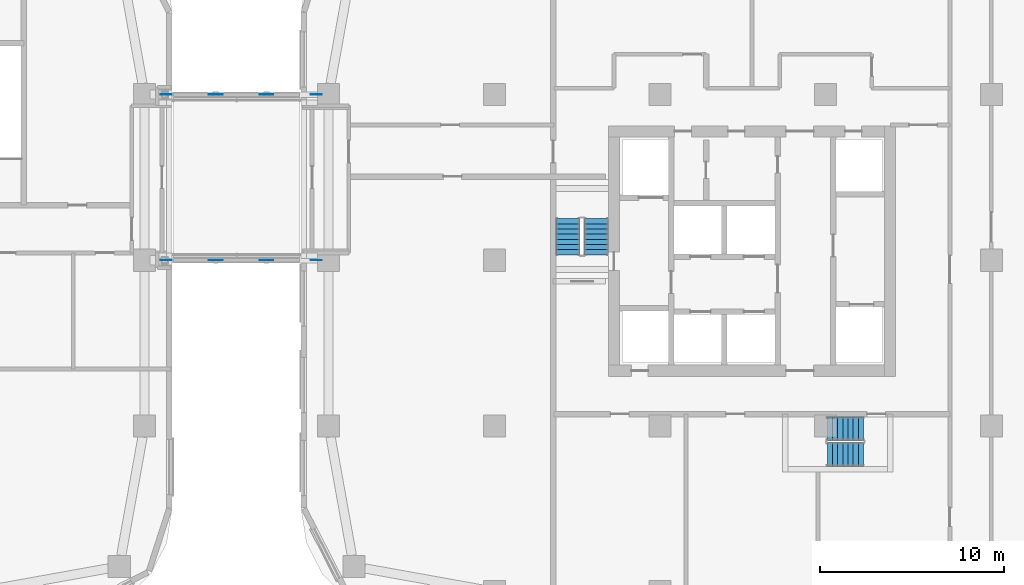
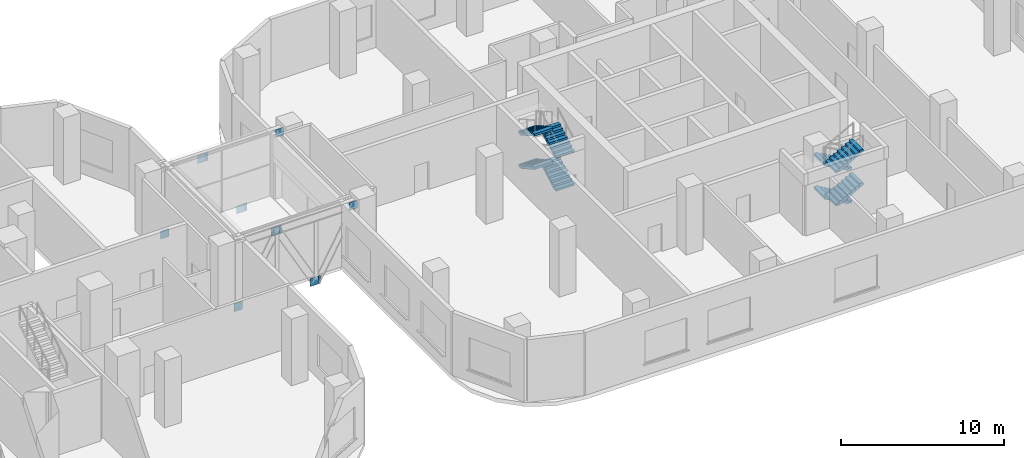
# One storey, part 20 of 33: 12 discrete accessories, 8 stair flights, 2 elements without a shape of their own.
"""IFC4 building model written with IfcOpenShell, lengths in metres."""

from ifc_helpers import new_model, si_unit, direction, frame, origin, origin_2d, place, context, subcontext, project, spatial, rectangle, extrude, triangles, source, transform, mapped, material, layer, layer_set, type_object, element, aggregate, save


model = new_model("IFC4")

# Units and contexts
model_context = context("Model", 3, precision=1e-05, world=origin(), true_north=direction((0.0, 1.0)))
body_context = subcontext(model_context, "Body", "Model", "MODEL_VIEW")
ifc_project = project(units=[si_unit("LENGTHUNIT", "METRE"), si_unit("AREAUNIT", "SQUARE_METRE"), si_unit("VOLUMEUNIT", "CUBIC_METRE"), si_unit("PLANEANGLEUNIT", "RADIAN"), si_unit("MASSUNIT", "GRAM", prefix="KILO")], contexts=[model_context])

# Site, building, storey
site_placement = place(None, origin())
site = spatial("IfcSite", under=ifc_project, at=site_placement, CompositionType="ELEMENT")
building_placement = place(site_placement, origin())
building = spatial("IfcBuilding", under=site, at=building_placement, Name="Ogive Portal Towers", CompositionType="ELEMENT")
storey_placement = place(building_placement, frame((0.0, 0.0, 28.5)))
storey = spatial("IfcBuildingStorey", under=building, at=storey_placement, Name="L05", CompositionType="ELEMENT", Elevation=28.5)

# Stair, stair flights
ifc_material_1 = material(Name="Concrete C40/50", Category="concrete")
stair_type = type_object("IfcStairType", Name="INT-STAIR", PredefinedType="HALF_TURN_STAIR", material=ifc_material_1)
stair_1_placement = place(storey_placement, origin())
stair_1 = element("IfcStair", 1, at=stair_1_placement, inside=storey, type_object=stair_type, Name="L05 Exit Stair ST-B1", PredefinedType="HALF_TURN_STAIR")
stair_flight_type = type_object("IfcStairFlightType", Name="INT-FLIGHT", PredefinedType="STRAIGHT", material=ifc_material_1)
shared_shape = source(origin(), body_context, "Body", "Tessellation", [
    triangles([(0.0, -0.650146484375, 0.0), (0.0, -0.376220703125, 0.0), (0.0, -0.192626953125, 0.0), (0.0, -0.081298828125, 0.0), (0.0, -0.024169921875, 0.0), (0.0, -0.003173828125, 0.0), (0.0, 0.0, 0.0), (0.0, 0.0029296875, 0.0), (0.0, 0.02392578125, 0.0), (0.0, 0.0810546875, 0.0), (0.0, 0.1923828125, 0.0), (0.0, 0.3759765625, 0.0), (0.0, 0.64990234375, 0.0), (0.0, -0.650146484375, 0.15625), (0.0, -0.376220703125, 0.15625), (0.0, -0.192626953125, 0.15625), (0.0, -0.081298828125, 0.15625), (0.0, -0.024169921875, 0.15625), (0.0, -0.003173828125, 0.15625), (0.0, 0.0, 0.15625), (0.0, 0.0029296875, 0.15625), (0.0, 0.02392578125, 0.15625), (0.0, 0.0810546875, 0.15625), (0.0, 0.1923828125, 0.15625), (0.0, 0.3759765625, 0.15625), (0.0, 0.64990234375, 0.15625), (0.280029296875, -0.650146484375, 0.15625), (0.280029296875, -0.376220703125, 0.15625), (0.280029296875, -0.192626953125, 0.15625), (0.280029296875, -0.081298828125, 0.15625), (0.280029296875, -0.024169921875, 0.15625), (0.280029296875, -0.003173828125, 0.15625), (0.280029296875, 0.0, 0.15625), (0.280029296875, 0.0029296875, 0.15625), (0.280029296875, 0.02392578125, 0.15625), (0.280029296875, 0.0810546875, 0.15625), (0.280029296875, 0.1923828125, 0.15625), (0.280029296875, 0.3759765625, 0.15625), (0.280029296875, 0.64990234375, 0.15625), (0.280029296875, -0.650146484375, 0.3125), (0.280029296875, -0.376220703125, 0.3125), (0.280029296875, -0.192626953125, 0.3125), (0.280029296875, -0.081298828125, 0.3125), (0.280029296875, -0.024169921875, 0.3125), (0.280029296875, -0.003173828125, 0.3125), (0.280029296875, 0.0, 0.3125), (0.280029296875, 0.0029296875, 0.3125), (0.280029296875, 0.02392578125, 0.3125), (0.280029296875, 0.0810546875, 0.3125), (0.280029296875, 0.1923828125, 0.3125), (0.280029296875, 0.3759765625, 0.3125), (0.280029296875, 0.64990234375, 0.3125), (0.56005859375, -0.650146484375, 0.3125), (0.56005859375, -0.376220703125, 0.3125), (0.56005859375, -0.192626953125, 0.3125), (0.56005859375, -0.081298828125, 0.3125), (0.56005859375, -0.024169921875, 0.3125), (0.56005859375, -0.003173828125, 0.3125), (0.56005859375, 0.0, 0.3125), (0.56005859375, 0.0029296875, 0.3125), (0.56005859375, 0.02392578125, 0.3125), (0.56005859375, 0.0810546875, 0.3125), (0.56005859375, 0.1923828125, 0.3125), (0.56005859375, 0.3759765625, 0.3125), (0.56005859375, 0.64990234375, 0.3125), (0.56005859375, -0.650146484375, 0.46875), (0.56005859375, -0.376220703125, 0.46875), (0.56005859375, -0.192626953125, 0.46875), (0.56005859375, -0.081298828125, 0.46875), (0.56005859375, -0.024169921875, 0.46875), (0.56005859375, -0.003173828125, 0.46875), (0.56005859375, 0.0, 0.46875), (0.56005859375, 0.0029296875, 0.46875), (0.56005859375, 0.02392578125, 0.46875), (0.56005859375, 0.0810546875, 0.46875), (0.56005859375, 0.1923828125, 0.46875), (0.56005859375, 0.3759765625, 0.46875), (0.56005859375, 0.64990234375, 0.46875), (0.840087890625, -0.650146484375, 0.46875), (0.840087890625, -0.376220703125, 0.46875), (0.840087890625, -0.192626953125, 0.46875), (0.840087890625, -0.081298828125, 0.46875), (0.840087890625, -0.024169921875, 0.46875), (0.840087890625, -0.003173828125, 0.46875), (0.840087890625, 0.0, 0.46875), (0.840087890625, 0.0029296875, 0.46875), (0.840087890625, 0.02392578125, 0.46875), (0.840087890625, 0.0810546875, 0.46875), (0.840087890625, 0.1923828125, 0.46875), (0.840087890625, 0.3759765625, 0.46875), (0.840087890625, 0.64990234375, 0.46875), (0.840087890625, -0.650146484375, 0.625), (0.840087890625, -0.376220703125, 0.625), (0.840087890625, -0.192626953125, 0.625), (0.840087890625, -0.081298828125, 0.625), (0.840087890625, -0.024169921875, 0.625), (0.840087890625, -0.003173828125, 0.625), (0.840087890625, 0.0, 0.625), (0.840087890625, 0.0029296875, 0.625), (0.840087890625, 0.02392578125, 0.625), (0.840087890625, 0.0810546875, 0.625), (0.840087890625, 0.1923828125, 0.625), (0.840087890625, 0.3759765625, 0.625), (0.840087890625, 0.64990234375, 0.625), (1.1201171875, -0.650146484375, 0.625), (1.1201171875, -0.376220703125, 0.625), (1.1201171875, -0.192626953125, 0.625), (1.1201171875, -0.081298828125, 0.625), (1.1201171875, -0.024169921875, 0.625), (1.1201171875, -0.003173828125, 0.625), (1.1201171875, 0.0, 0.625), (1.1201171875, 0.0029296875, 0.625), (1.1201171875, 0.02392578125, 0.625), (1.1201171875, 0.0810546875, 0.625), (1.1201171875, 0.1923828125, 0.625), (1.1201171875, 0.3759765625, 0.625), (1.1201171875, 0.64990234375, 0.625), (1.1201171875, -0.650146484375, 0.78125), (1.1201171875, -0.376220703125, 0.78125), (1.1201171875, -0.192626953125, 0.78125), (1.1201171875, -0.081298828125, 0.78125), (1.1201171875, -0.024169921875, 0.78125), (1.1201171875, -0.003173828125, 0.78125), (1.1201171875, 0.0, 0.78125), (1.1201171875, 0.0029296875, 0.78125), (1.1201171875, 0.02392578125, 0.78125), (1.1201171875, 0.0810546875, 0.78125), (1.1201171875, 0.1923828125, 0.78125), (1.1201171875, 0.3759765625, 0.78125), (1.1201171875, 0.64990234375, 0.78125), (1.39990234375, -0.650146484375, 0.78125), (1.39990234375, -0.376220703125, 0.78125), (1.39990234375, -0.192626953125, 0.78125), (1.39990234375, -0.081298828125, 0.78125), (1.39990234375, -0.024169921875, 0.78125), (1.39990234375, -0.003173828125, 0.78125), (1.39990234375, 0.0, 0.78125), (1.39990234375, 0.0029296875, 0.78125), (1.39990234375, 0.02392578125, 0.78125), (1.39990234375, 0.0810546875, 0.78125), (1.39990234375, 0.1923828125, 0.78125), (1.39990234375, 0.3759765625, 0.78125), (1.39990234375, 0.64990234375, 0.78125), (1.39990234375, -0.650146484375, 0.9375), (1.39990234375, -0.376220703125, 0.9375), (1.39990234375, -0.192626953125, 0.9375), (1.39990234375, -0.081298828125, 0.9375), (1.39990234375, -0.024169921875, 0.9375), (1.39990234375, -0.003173828125, 0.9375), (1.39990234375, 0.0, 0.9375), (1.39990234375, 0.0029296875, 0.9375), (1.39990234375, 0.02392578125, 0.9375), (1.39990234375, 0.0810546875, 0.9375), (1.39990234375, 0.1923828125, 0.9375), (1.39990234375, 0.3759765625, 0.9375), (1.39990234375, 0.64990234375, 0.9375), (1.679931640625, -0.650146484375, 0.9375), (1.679931640625, -0.376220703125, 0.9375), (1.679931640625, -0.192626953125, 0.9375), (1.679931640625, -0.081298828125, 0.9375), (1.679931640625, -0.024169921875, 0.9375), (1.679931640625, -0.003173828125, 0.9375), (1.679931640625, 0.0, 0.9375), (1.679931640625, 0.0029296875, 0.9375), (1.679931640625, 0.02392578125, 0.9375), (1.679931640625, 0.0810546875, 0.9375), (1.679931640625, 0.1923828125, 0.9375), (1.679931640625, 0.3759765625, 0.9375), (1.679931640625, 0.64990234375, 0.9375), (1.679931640625, -0.650146484375, 1.09375), (1.679931640625, -0.376220703125, 1.09375), (1.679931640625, -0.192626953125, 1.09375), (1.679931640625, -0.081298828125, 1.09375), (1.679931640625, -0.024169921875, 1.09375), (1.679931640625, -0.003173828125, 1.09375), (1.679931640625, 0.0, 1.09375), (1.679931640625, 0.0029296875, 1.09375), (1.679931640625, 0.02392578125, 1.09375), (1.679931640625, 0.0810546875, 1.09375), (1.679931640625, 0.1923828125, 1.09375), (1.679931640625, 0.3759765625, 1.09375), (1.679931640625, 0.64990234375, 1.09375), (1.9599609375, -0.650146484375, 1.09375), (1.9599609375, -0.376220703125, 1.09375), (1.9599609375, -0.192626953125, 1.09375), (1.9599609375, -0.081298828125, 1.09375), (1.9599609375, -0.024169921875, 1.09375), (1.9599609375, -0.003173828125, 1.09375), (1.9599609375, 0.0, 1.09375), (1.9599609375, 0.0029296875, 1.09375), (1.9599609375, 0.02392578125, 1.09375), (1.9599609375, 0.0810546875, 1.09375), (1.9599609375, 0.1923828125, 1.09375), (1.9599609375, 0.3759765625, 1.09375), (1.9599609375, 0.64990234375, 1.09375), (1.9599609375, -0.650146484375, 0.922119140625), (1.9599609375, -0.376220703125, 0.922119140625), (1.9599609375, -0.192626953125, 0.922119140625), (1.9599609375, -0.081298828125, 0.922119140625), (1.9599609375, -0.024169921875, 0.922119140625), (1.9599609375, -0.003173828125, 0.922119140625), (1.9599609375, 0.0, 0.922119140625), (1.9599609375, 0.0029296875, 0.922119140625), (1.9599609375, 0.02392578125, 0.922119140625), (1.9599609375, 0.0810546875, 0.922119140625), (1.9599609375, 0.1923828125, 0.922119140625), (1.9599609375, 0.3759765625, 0.922119140625), (1.9599609375, 0.64990234375, 0.922119140625), (0.3076171875, -0.650146484375, 0.0), (0.3076171875, -0.376220703125, 0.0), (0.3076171875, -0.192626953125, 0.0), (0.3076171875, -0.081298828125, 0.0), (0.3076171875, -0.024169921875, 0.0), (0.3076171875, -0.003173828125, 0.0), (0.3076171875, 0.0, 0.0), (0.3076171875, 0.0029296875, 0.0), (0.3076171875, 0.02392578125, 0.0), (0.3076171875, 0.0810546875, 0.0), (0.3076171875, 0.1923828125, 0.0), (0.3076171875, 0.3759765625, 0.0), (0.3076171875, 0.64990234375, 0.0)], [[1, 14, 15], [1, 15, 2], [2, 15, 16], [2, 16, 3], [3, 16, 17], [3, 17, 4], [4, 17, 18], [4, 18, 5], [5, 18, 19], [5, 19, 6], [6, 19, 20], [6, 20, 7], [7, 20, 21], [7, 21, 8], [8, 21, 22], [8, 22, 9], [9, 22, 23], [9, 23, 10], [10, 23, 24], [10, 24, 11], [11, 24, 25], [11, 25, 12], [12, 25, 26], [12, 26, 13], [14, 27, 28], [14, 28, 15], [15, 28, 29], [15, 29, 16], [16, 29, 30], [16, 30, 17], [17, 30, 31], [17, 31, 18], [18, 31, 32], [18, 32, 19], [19, 32, 33], [19, 33, 20], [20, 33, 34], [20, 34, 21], [21, 34, 35], [21, 35, 22], [22, 35, 36], [22, 36, 23], [23, 36, 37], [23, 37, 24], [24, 37, 38], [24, 38, 25], [25, 38, 39], [25, 39, 26], [27, 40, 41], [27, 41, 28], [28, 41, 42], [28, 42, 29], [29, 42, 43], [29, 43, 30], [30, 43, 44], [30, 44, 31], [31, 44, 45], [31, 45, 32], [32, 45, 46], [32, 46, 33], [33, 46, 47], [33, 47, 34], [34, 47, 48], [34, 48, 35], [35, 48, 49], [35, 49, 36], [36, 49, 50], [36, 50, 37], [37, 50, 51], [37, 51, 38], [38, 51, 52], [38, 52, 39], [40, 53, 54], [40, 54, 41], [41, 54, 55], [41, 55, 42], [42, 55, 56], [42, 56, 43], [43, 56, 57], [43, 57, 44], [44, 57, 58], [44, 58, 45], [45, 58, 59], [45, 59, 46], [46, 59, 60], [46, 60, 47], [47, 60, 61], [47, 61, 48], [48, 61, 62], [48, 62, 49], [49, 62, 63], [49, 63, 50], [50, 63, 64], [50, 64, 51], [51, 64, 65], [51, 65, 52], [53, 66, 67], [53, 67, 54], [54, 67, 68], [54, 68, 55], [55, 68, 69], [55, 69, 56], [56, 69, 70], [56, 70, 57], [57, 70, 71], [57, 71, 58], [58, 71, 72], [58, 72, 59], [59, 72, 73], [59, 73, 60], [60, 73, 74], [60, 74, 61], [61, 74, 75], [61, 75, 62], [62, 75, 76], [62, 76, 63], [63, 76, 77], [63, 77, 64], [64, 77, 78], [64, 78, 65], [66, 79, 80], [66, 80, 67], [67, 80, 81], [67, 81, 68], [68, 81, 82], [68, 82, 69], [69, 82, 83], [69, 83, 70], [70, 83, 84], [70, 84, 71], [71, 84, 85], [71, 85, 72], [72, 85, 86], [72, 86, 73], [73, 86, 87], [73, 87, 74], [74, 87, 88], [74, 88, 75], [75, 88, 89], [75, 89, 76], [76, 89, 90], [76, 90, 77], [77, 90, 91], [77, 91, 78], [79, 92, 93], [79, 93, 80], [80, 93, 94], [80, 94, 81], [81, 94, 95], [81, 95, 82], [82, 95, 96], [82, 96, 83], [83, 96, 97], [83, 97, 84], [84, 97, 98], [84, 98, 85], [85, 98, 99], [85, 99, 86], [86, 99, 100], [86, 100, 87], [87, 100, 101], [87, 101, 88], [88, 101, 102], [88, 102, 89], [89, 102, 103], [89, 103, 90], [90, 103, 104], [90, 104, 91], [92, 105, 106], [92, 106, 93], [93, 106, 107], [93, 107, 94], [94, 107, 108], [94, 108, 95], [95, 108, 109], [95, 109, 96], [96, 109, 110], [96, 110, 97], [97, 110, 111], [97, 111, 98], [98, 111, 112], [98, 112, 99], [99, 112, 113], [99, 113, 100], [100, 113, 114], [100, 114, 101], [101, 114, 115], [101, 115, 102], [102, 115, 116], [102, 116, 103], [103, 116, 117], [103, 117, 104], [105, 118, 119], [105, 119, 106], [106, 119, 120], [106, 120, 107], [107, 120, 121], [107, 121, 108], [108, 121, 122], [108, 122, 109], [109, 122, 123], [109, 123, 110], [110, 123, 124], [110, 124, 111], [111, 124, 125], [111, 125, 112], [112, 125, 126], [112, 126, 113], [113, 126, 127], [113, 127, 114], [114, 127, 128], [114, 128, 115], [115, 128, 129], [115, 129, 116], [116, 129, 130], [116, 130, 117], [118, 131, 132], [118, 132, 119], [119, 132, 133], [119, 133, 120], [120, 133, 134], [120, 134, 121], [121, 134, 135], [121, 135, 122], [122, 135, 136], [122, 136, 123], [123, 136, 137], [123, 137, 124], [124, 137, 138], [124, 138, 125], [125, 138, 139], [125, 139, 126], [126, 139, 140], [126, 140, 127], [127, 140, 141], [127, 141, 128], [128, 141, 142], [128, 142, 129], [129, 142, 143], [129, 143, 130], [131, 144, 145], [131, 145, 132], [132, 145, 146], [132, 146, 133], [133, 146, 147], [133, 147, 134], [134, 147, 148], [134, 148, 135], [135, 148, 149], [135, 149, 136], [136, 149, 150], [136, 150, 137], [137, 150, 151], [137, 151, 138], [138, 151, 152], [138, 152, 139], [139, 152, 153], [139, 153, 140], [140, 153, 154], [140, 154, 141], [141, 154, 155], [141, 155, 142], [142, 155, 156], [142, 156, 143], [144, 157, 158], [144, 158, 145], [145, 158, 159], [145, 159, 146], [146, 159, 160], [146, 160, 147], [147, 160, 161], [147, 161, 148], [148, 161, 162], [148, 162, 149], [149, 162, 163], [149, 163, 150], [150, 163, 164], [150, 164, 151], [151, 164, 165], [151, 165, 152], [152, 165, 166], [152, 166, 153], [153, 166, 167], [153, 167, 154], [154, 167, 168], [154, 168, 155], [155, 168, 169], [155, 169, 156], [157, 170, 171], [157, 171, 158], [158, 171, 172], [158, 172, 159], [159, 172, 173], [159, 173, 160], [160, 173, 174], [160, 174, 161], [161, 174, 175], [161, 175, 162], [162, 175, 176], [162, 176, 163], [163, 176, 177], [163, 177, 164], [164, 177, 178], [164, 178, 165], [165, 178, 179], [165, 179, 166], [166, 179, 180], [166, 180, 167], [167, 180, 181], [167, 181, 168], [168, 181, 182], [168, 182, 169], [170, 183, 184], [170, 184, 171], [171, 184, 185], [171, 185, 172], [172, 185, 186], [172, 186, 173], [173, 186, 187], [173, 187, 174], [174, 187, 188], [174, 188, 175], [175, 188, 189], [175, 189, 176], [176, 189, 190], [176, 190, 177], [177, 190, 191], [177, 191, 178], [178, 191, 192], [178, 192, 179], [179, 192, 193], [179, 193, 180], [180, 193, 194], [180, 194, 181], [181, 194, 195], [181, 195, 182], [183, 196, 197], [183, 197, 184], [184, 197, 198], [184, 198, 185], [185, 198, 199], [185, 199, 186], [186, 199, 200], [186, 200, 187], [187, 200, 201], [187, 201, 188], [188, 201, 202], [188, 202, 189], [189, 202, 203], [189, 203, 190], [190, 203, 204], [190, 204, 191], [191, 204, 205], [191, 205, 192], [192, 205, 206], [192, 206, 193], [193, 206, 207], [193, 207, 194], [194, 207, 208], [194, 208, 195], [196, 209, 210], [196, 210, 197], [197, 210, 211], [197, 211, 198], [198, 211, 212], [198, 212, 199], [199, 212, 213], [199, 213, 200], [200, 213, 214], [200, 214, 201], [201, 214, 215], [201, 215, 202], [202, 215, 216], [202, 216, 203], [203, 216, 217], [203, 217, 204], [204, 217, 218], [204, 218, 205], [205, 218, 219], [205, 219, 206], [206, 219, 220], [206, 220, 207], [207, 220, 221], [207, 221, 208], [209, 1, 2], [209, 2, 210], [210, 2, 3], [210, 3, 211], [211, 3, 4], [211, 4, 212], [212, 4, 5], [212, 5, 213], [213, 5, 6], [213, 6, 214], [214, 6, 7], [214, 7, 215], [215, 7, 8], [215, 8, 216], [216, 8, 9], [216, 9, 217], [217, 9, 10], [217, 10, 218], [218, 10, 11], [218, 11, 219], [219, 11, 12], [219, 12, 220], [220, 12, 13], [220, 13, 221], [1, 209, 196], [13, 208, 221], [196, 183, 170], [208, 182, 195], [196, 170, 157], [208, 169, 182], [196, 157, 144], [208, 156, 169], [196, 144, 131], [208, 143, 156], [131, 118, 105], [143, 117, 130], [196, 131, 105], [208, 117, 143], [105, 92, 79], [117, 91, 104], [196, 105, 79], [208, 91, 117], [79, 66, 53], [91, 65, 78], [196, 79, 53], [208, 65, 91], [53, 40, 27], [65, 39, 52], [196, 53, 27], [208, 39, 65], [1, 196, 27], [13, 39, 208], [27, 14, 1], [39, 13, 26]], closed=True),
])
stair_flight_1_placement = place(storey_placement, frame((128.050048828125, 30.800048828125, 0.0), z_axis=(0.0, 0.0, 1.0), x_axis=(0.0, 1.0, 0.0)))
stair_flight_1 = element("IfcStairFlight", 2, at=stair_flight_1_placement, type_object=stair_flight_type, Name="ST-B1 flight 1", NumberOfRisers=8, NumberOfTreads=7, PredefinedType="STRAIGHT", RiserHeight=0.15625, TreadLength=0.28, context=body_context, shape_type="MappedRepresentation", body=[
    mapped(shared_shape, transform((0.0, 0.0, 0.0), scale=1.0)),
])
stair_flight_2_placement = place(storey_placement, frame((126.5, 32.760009765625, 1.25), z_axis=(0.0, 0.0, 1.0), x_axis=(0.0, -1.0, 0.0)))
stair_flight_2 = element("IfcStairFlight", 3, at=stair_flight_2_placement, type_object=stair_flight_type, Name="ST-B1 flight 2", NumberOfRisers=8, NumberOfTreads=7, PredefinedType="STRAIGHT", RiserHeight=0.15625, TreadLength=0.28, context=body_context, shape_type="MappedRepresentation", body=[
    mapped(shared_shape, transform((0.0, 0.0, 0.0), scale=1.0)),
])
stair_flight_3_placement = place(storey_placement, frame((128.050048828125, 30.800048828125, 2.5), z_axis=(0.0, 0.0, 1.0), x_axis=(0.0, 1.0, 0.0)))
stair_flight_3 = element("IfcStairFlight", 4, at=stair_flight_3_placement, type_object=stair_flight_type, Name="ST-B1 flight 3", NumberOfRisers=8, NumberOfTreads=7, PredefinedType="STRAIGHT", RiserHeight=0.15625, TreadLength=0.28, context=body_context, shape_type="MappedRepresentation", body=[
    mapped(shared_shape, transform((0.0, 0.0, 0.0), scale=1.0)),
])
stair_flight_4_placement = place(storey_placement, frame((126.5, 32.760009765625, 3.75), z_axis=(0.0, 0.0, 1.0), x_axis=(0.0, -1.0, 0.0)))
stair_flight_4 = element("IfcStairFlight", 5, at=stair_flight_4_placement, type_object=stair_flight_type, Name="ST-B1 flight 4", NumberOfRisers=8, NumberOfTreads=7, PredefinedType="STRAIGHT", RiserHeight=0.15625, TreadLength=0.28, context=body_context, shape_type="MappedRepresentation", body=[
    mapped(shared_shape, transform((0.0, 0.0, 0.0), scale=1.0)),
])
aggregate(stair_1, [stair_flight_1, stair_flight_2, stair_flight_3, stair_flight_4])

stair_2_placement = place(storey_placement, origin())
stair_2 = element("IfcStair", 6, at=stair_2_placement, inside=storey, type_object=stair_type, Name="L05 Exit Stair ST-B2", PredefinedType="HALF_TURN_STAIR")
stair_flight_5_placement = place(storey_placement, frame((142.550048828125, 21.35009765625, 0.0), z_axis=(0.0, 0.0, 1.0), x_axis=(-1.0, 0.0, 0.0)))
stair_flight_5 = element("IfcStairFlight", 7, at=stair_flight_5_placement, type_object=stair_flight_type, Name="ST-B2 flight 1", NumberOfRisers=8, NumberOfTreads=7, PredefinedType="STRAIGHT", RiserHeight=0.15625, TreadLength=0.28, context=body_context, shape_type="MappedRepresentation", body=[
    mapped(shared_shape, transform((0.0, 0.0, 0.0), scale=1.0)),
])
stair_flight_6_placement = place(storey_placement, frame((140.590087890625, 19.949951171875, 1.25), z_axis=(0.0, 0.0, 1.0), x_axis=(1.0, 0.0, 0.0)))
stair_flight_6 = element("IfcStairFlight", 8, at=stair_flight_6_placement, type_object=stair_flight_type, Name="ST-B2 flight 2", NumberOfRisers=8, NumberOfTreads=7, PredefinedType="STRAIGHT", RiserHeight=0.15625, TreadLength=0.28, context=body_context, shape_type="MappedRepresentation", body=[
    mapped(shared_shape, transform((0.0, 0.0, 0.0), scale=1.0)),
])
stair_flight_7_placement = place(storey_placement, frame((142.550048828125, 21.35009765625, 2.5), z_axis=(0.0, 0.0, 1.0), x_axis=(-1.0, 0.0, 0.0)))
stair_flight_7 = element("IfcStairFlight", 9, at=stair_flight_7_placement, type_object=stair_flight_type, Name="ST-B2 flight 3", NumberOfRisers=8, NumberOfTreads=7, PredefinedType="STRAIGHT", RiserHeight=0.15625, TreadLength=0.28, context=body_context, shape_type="MappedRepresentation", body=[
    mapped(shared_shape, transform((0.0, 0.0, 0.0), scale=1.0)),
])
stair_flight_8_placement = place(storey_placement, frame((140.590087890625, 19.949951171875, 3.75), z_axis=(0.0, 0.0, 1.0), x_axis=(1.0, 0.0, 0.0)))
stair_flight_8 = element("IfcStairFlight", 10, at=stair_flight_8_placement, type_object=stair_flight_type, Name="ST-B2 flight 4", NumberOfRisers=8, NumberOfTreads=7, PredefinedType="STRAIGHT", RiserHeight=0.15625, TreadLength=0.28, context=body_context, shape_type="MappedRepresentation", body=[
    mapped(shared_shape, transform((0.0, 0.0, 0.0), scale=1.0)),
])
aggregate(stair_2, [stair_flight_5, stair_flight_6, stair_flight_7, stair_flight_8])

# Discrete accessories
ifc_material_2 = material(Name="Steel S355", Category="steel")
ifc_layer = layer(ifc_material_2, 0.02001953125)
ifc_layer_set = layer_set([ifc_layer], Name="GUSSET PLATE 600x600x20")
discrete_accessory_type = type_object("IfcDiscreteAccessoryType", Name="GUSSET PLATE 600x600x20", PredefinedType="BRACKET", material=ifc_layer_set)
for number, where, z_axis, x_axis, name in (
    (11, (104.672607421875, 30.5, -0.77880859375), (0.0, 0.0, 1.0), (1.0, 0.0, 0.0), "Gusset plate"),
    (12, (107.294189453125, 30.5, 3.958740234375), (0.0, 0.0, 1.0), (1.0, 0.0, 0.0), "Gusset plate"),
    (13, (107.439208984375, 30.5, 3.958740234375), (0.0, 0.0, 1.0), (1.0, 0.0, 0.0), "Gusset plate"),
    (14, (110.060791015625, 30.5, -0.77880859375), (0.0, 0.0, 1.0), (1.0, 0.0, 0.0), "Gusset plate"),
    (15, (110.205810546875, 30.5, -0.77880859375), (0.0, 0.0, 1.0), (1.0, 0.0, 0.0), "Gusset plate"),
    (16, (112.827392578125, 30.5, 3.958740234375), (0.0, 0.0, 1.0), (1.0, 0.0, 0.0), "Gusset plate"),
    (17, (104.672607421875, 39.5, -0.77880859375), (0.0, 0.0, 1.0), (1.0, 0.0, 0.0), "Gusset plate"),
    (18, (107.294189453125, 39.5, 3.958740234375), (0.0, 0.0, 1.0), (1.0, 0.0, 0.0), "Gusset plate"),
    (19, (107.439208984375, 39.5, 3.958740234375), (0.0, 0.0, 1.0), (1.0, 0.0, 0.0), "Gusset plate"),
    (20, (110.060791015625, 39.5, -0.77880859375), (0.0, 0.0, 1.0), (1.0, 0.0, 0.0), "Gusset plate"),
    (21, (110.205810546875, 39.5, -0.77880859375), (0.0, 0.0, 1.0), (1.0, 0.0, 0.0), "Gusset plate"),
    (22, (112.827392578125, 39.5, 3.958740234375), (0.0, 0.0, 1.0), (1.0, 0.0, 0.0), "Gusset plate"),
):
    element("IfcDiscreteAccessory", number, at=place(storey_placement, frame(where, z_axis=z_axis, x_axis=x_axis)), inside=storey, type_object=discrete_accessory_type, Name=name, PredefinedType="BRACKET", context=body_context, shape_type="SweptSolid", body=[
        extrude(rectangle(XDim=0.60009765625, YDim=0.02001953125, at=origin_2d()), origin(), (0.0, 0.0, 1.0), 0.60009765625),
    ])

save(model, "model.ifc")
